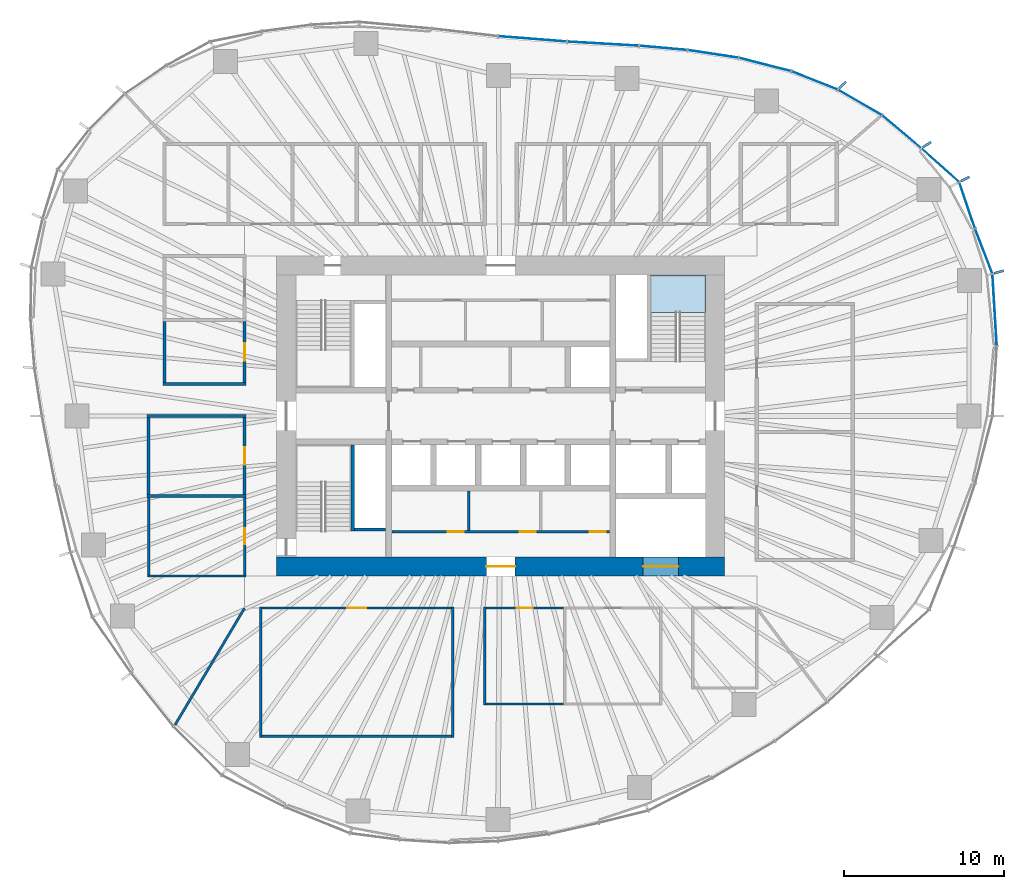
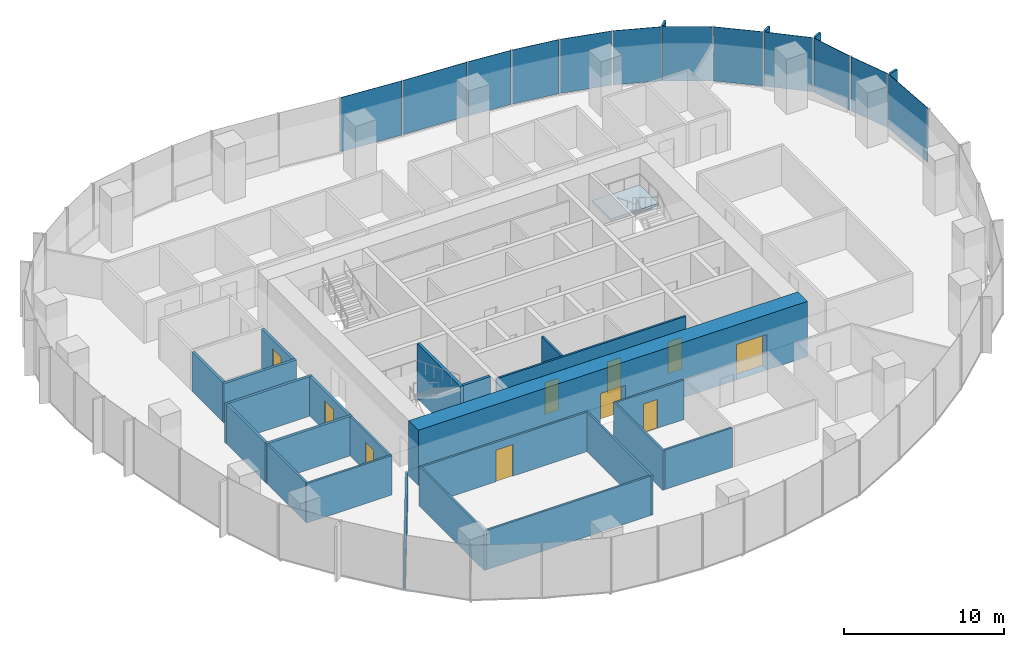
# One storey, part 8 of 18: 23 walls, 16 plates, 10 doors, 1 slab, 10 openings, 6 elements without a shape of their own.
"""IFC4 building model written with IfcOpenShell, lengths in metres."""

from ifc_helpers import new_model, si_unit, direction, frame, frame_2d, origin, origin_2d, place, context, subcontext, project, spatial, polyline, rectangle, outline, extrude, material, layer, layer_set, type_object, element, fill, aggregate, save


model = new_model("IFC4")

# Units and contexts
model_context = context("Model", 3, precision=1e-05, world=origin(), true_north=direction((0.0, 1.0)))
body_context = subcontext(model_context, "Body", "Model", "MODEL_VIEW")
ifc_project = project(units=[si_unit("LENGTHUNIT", "METRE"), si_unit("AREAUNIT", "SQUARE_METRE"), si_unit("VOLUMEUNIT", "CUBIC_METRE"), si_unit("PLANEANGLEUNIT", "RADIAN"), si_unit("MASSUNIT", "GRAM", prefix="KILO")], contexts=[model_context])

# Site, building, storey
site_placement = place(None, origin())
site = spatial("IfcSite", under=ifc_project, at=site_placement, CompositionType="ELEMENT")
building_placement = place(site_placement, origin())
building = spatial("IfcBuilding", under=site, at=building_placement, Name="Ghaith Harvest Tower", CompositionType="ELEMENT")
storey_placement = place(building_placement, frame((0.0, 0.0, 134.39990234375)))
storey = spatial("IfcBuildingStorey", under=building, at=storey_placement, Name="L28", CompositionType="ELEMENT", Elevation=134.39990234375)

# Curtain wall, plate
ifc_material_1 = material(Name="Black anodised aluminium and fritted glass", Category="aluminium")
curtain_wall_type = type_object("IfcCurtainWallType", Name="CW-L CURTAIN WALL", PredefinedType="NOTDEFINED", material=ifc_material_1)
curtain_wall_1_placement = place(storey_placement, origin())
curtain_wall_1 = element("IfcCurtainWall", 1, at=curtain_wall_1_placement, inside=storey, type_object=curtain_wall_type, Name="Curtain wall CW-L bay 01 L28", PredefinedType="NOTDEFINED")
ifc_material_2 = material(Name="Glass, dark solar-control fritted double glazed unit", Category="glass")
ifc_layer_1 = layer(ifc_material_2, 0.031982421875)
ifc_layer_set_1 = layer_set([ifc_layer_1], Name="CW-L VISION PANEL")
plate_type_1 = type_object("IfcPlateType", Name="CW-L VISION PANEL", PredefinedType="CURTAIN_PANEL", material=ifc_layer_set_1)
plate_1_placement = place(storey_placement, frame((30.863037109375, 6.63525390625, 0.080078125), z_axis=(0.0, 0.0, 1.0), x_axis=(-0.060320650032, 0.998179051663, 0.0)))
plate_1 = element("IfcPlate", 2, at=plate_1_placement, type_object=plate_type_1, Name="CW-L glass unit 2 bay 01 L28", PredefinedType="CURTAIN_PANEL", context=body_context, shape_type="SweptSolid", body=[
    extrude(rectangle(XDim=4.419189453125, YDim=0.031982421875, at=origin_2d()), origin(), (0.0, 0.0, 1.0), 4.1201171875),
])
aggregate(curtain_wall_1, [plate_1])

# Curtain wall, plates
curtain_wall_2_placement = place(storey_placement, origin())
curtain_wall_2 = element("IfcCurtainWall", 3, at=curtain_wall_2_placement, inside=storey, type_object=curtain_wall_type, Name="Curtain wall CW-L bay 02 L28", PredefinedType="NOTDEFINED")
plate_2_placement = place(storey_placement, frame((30.180908203125, 10.29833984375, 0.080078125), z_axis=(0.0, 0.0, 1.0), x_axis=(-0.359676824997, 0.933076943001, 0.0)))
plate_2 = element("IfcPlate", 4, at=plate_2_placement, type_object=plate_type_1, Name="CW-L glass unit 1 bay 02 L28", PredefinedType="CURTAIN_PANEL", context=body_context, shape_type="SweptSolid", body=[
    extrude(rectangle(XDim=2.95849609375, YDim=0.031982421875, at=origin_2d()), origin(), (0.0, 0.0, 1.0), 4.1201171875),
])
plate_3_placement = place(storey_placement, frame((29.142333984375, 13.163818359375, 0.080078125), z_axis=(0.0, 0.0, 1.0), x_axis=(-0.321853304376, 0.946789549194, 0.0)))
plate_3 = element("IfcPlate", 5, at=plate_3_placement, type_object=plate_type_1, Name="CW-L glass unit 2 bay 02 L28", PredefinedType="CURTAIN_PANEL", context=body_context, shape_type="SweptSolid", body=[
    extrude(rectangle(XDim=2.978759765625, YDim=0.031982421875, at=origin_2d()), origin(), (0.0, 0.0, 1.0), 4.1201171875),
])
plate_4_placement = place(storey_placement, frame((27.46533203125, 15.668701171875, 0.080078125), z_axis=(0.0, 0.0, 1.0), x_axis=(-0.746250544556, 0.665665174656, 0.0)))
plate_4 = element("IfcPlate", 6, at=plate_4_placement, type_object=plate_type_1, Name="CW-L glass unit 3 bay 02 L28", PredefinedType="CURTAIN_PANEL", context=body_context, shape_type="SweptSolid", body=[
    extrude(rectangle(XDim=3.094970703125, YDim=0.031982421875, at=origin_2d()), origin(), (0.0, 0.0, 1.0), 4.1201171875),
])
aggregate(curtain_wall_2, [plate_2, plate_3, plate_4])

curtain_wall_3_placement = place(storey_placement, origin())
curtain_wall_3 = element("IfcCurtainWall", 7, at=curtain_wall_3_placement, inside=storey, type_object=curtain_wall_type, Name="Curtain wall CW-L bay 03 L28", PredefinedType="NOTDEFINED")
plate_5_placement = place(storey_placement, frame((25.05126953125, 17.7587890625, 0.080078125), z_axis=(0.0, 0.0, 1.0), x_axis=(-0.765473064857, 0.643467937801, 0.0)))
plate_5 = element("IfcPlate", 8, at=plate_5_placement, type_object=plate_type_1, Name="CW-L glass unit 1 bay 03 L28", PredefinedType="CURTAIN_PANEL", context=body_context, shape_type="SweptSolid", body=[
    extrude(rectangle(XDim=3.13232421875, YDim=0.031982421875, at=origin_2d()), origin(), (0.0, 0.0, 1.0), 4.1201171875),
])
plate_6_placement = place(storey_placement, frame((22.444091796875, 19.590576171875, 0.080078125), z_axis=(0.0, 0.0, 1.0), x_axis=(-0.865232087993, 0.501371552751, 0.0)))
plate_6 = element("IfcPlate", 9, at=plate_6_placement, type_object=plate_type_1, Name="CW-L glass unit 2 bay 03 L28", PredefinedType="CURTAIN_PANEL", context=body_context, shape_type="SweptSolid", body=[
    extrude(rectangle(XDim=3.10498046875, YDim=0.031982421875, at=origin_2d()), origin(), (0.0, 0.0, 1.0), 4.1201171875),
])
plate_7_placement = place(storey_placement, frame((19.6142578125, 20.963623046875, 0.080078125), z_axis=(0.0, 0.0, 1.0), x_axis=(-0.929876534019, 0.367871759558, 0.0)))
plate_7 = element("IfcPlate", 10, at=plate_7_placement, type_object=plate_type_1, Name="CW-L glass unit 3 bay 03 L28", PredefinedType="CURTAIN_PANEL", context=body_context, shape_type="SweptSolid", body=[
    extrude(rectangle(XDim=3.042724609375, YDim=0.031982421875, at=origin_2d()), origin(), (0.0, 0.0, 1.0), 4.1201171875),
])
aggregate(curtain_wall_3, [plate_5, plate_6, plate_7])

curtain_wall_4_placement = place(storey_placement, origin())
curtain_wall_4 = element("IfcCurtainWall", 11, at=curtain_wall_4_placement, inside=storey, type_object=curtain_wall_type, Name="Curtain wall CW-L bay 04 L28", PredefinedType="NOTDEFINED")
plate_8_placement = place(storey_placement, frame((16.513427734375, 21.958740234375, 0.080078125), z_axis=(0.0, 0.0, 1.0), x_axis=(-0.96893110987, 0.247330758955, 0.0)))
plate_8 = element("IfcPlate", 12, at=plate_8_placement, type_object=plate_type_1, Name="CW-L glass unit 1 bay 04 L28", PredefinedType="CURTAIN_PANEL", context=body_context, shape_type="SweptSolid", body=[
    extrude(rectangle(XDim=3.3232421875, YDim=0.031982421875, at=origin_2d()), origin(), (0.0, 0.0, 1.0), 4.1201171875),
])
plate_9_placement = place(storey_placement, frame((13.2685546875, 22.621826171875, 0.080078125), z_axis=(0.0, 0.0, 1.0), x_axis=(-0.988678736369, 0.150047846542, 0.0)))
plate_9 = element("IfcPlate", 13, at=plate_9_placement, type_object=plate_type_1, Name="CW-L glass unit 2 bay 04 L28", PredefinedType="CURTAIN_PANEL", context=body_context, shape_type="SweptSolid", body=[
    extrude(rectangle(XDim=3.14892578125, YDim=0.031982421875, at=origin_2d()), origin(), (0.0, 0.0, 1.0), 4.1201171875),
])
plate_10_placement = place(storey_placement, frame((10.15966796875, 22.9970703125, 0.080078125), z_axis=(0.0, 0.0, 1.0), x_axis=(-0.996166190972, 0.087480969151, 0.0)))
plate_10 = element("IfcPlate", 14, at=plate_10_placement, type_object=plate_type_1, Name="CW-L glass unit 3 bay 04 L28", PredefinedType="CURTAIN_PANEL", context=body_context, shape_type="SweptSolid", body=[
    extrude(rectangle(XDim=2.957275390625, YDim=0.031982421875, at=origin_2d()), origin(), (0.0, 0.0, 1.0), 4.1201171875),
])
aggregate(curtain_wall_4, [plate_8, plate_9, plate_10])

curtain_wall_5_placement = place(storey_placement, origin())
curtain_wall_5 = element("IfcCurtainWall", 15, at=curtain_wall_5_placement, inside=storey, type_object=curtain_wall_type, Name="Curtain wall CW-L bay 05 L28", PredefinedType="NOTDEFINED")
plate_11_placement = place(storey_placement, frame((6.396728515625, 23.260498046875, 0.080078125), z_axis=(0.0, 0.0, 1.0), x_axis=(-0.998320798751, 0.05792739233, 0.0)))
plate_11 = element("IfcPlate", 16, at=plate_11_placement, type_object=plate_type_1, Name="CW-L glass unit 1 bay 05 L28", PredefinedType="CURTAIN_PANEL", context=body_context, shape_type="SweptSolid", body=[
    extrude(rectangle(XDim=4.427734375, YDim=0.031982421875, at=origin_2d()), origin(), (0.0, 0.0, 1.0), 4.1201171875),
])
plate_12_placement = place(storey_placement, frame((1.9921875, 23.560302734375, 0.080078125), z_axis=(0.0, 0.0, 1.0), x_axis=(-0.996925121312, 0.078360082291, 0.0)))
plate_12 = element("IfcPlate", 17, at=plate_12_placement, type_object=plate_type_1, Name="CW-L glass unit 2 bay 05 L28", PredefinedType="CURTAIN_PANEL", context=body_context, shape_type="SweptSolid", body=[
    extrude(rectangle(XDim=4.242431640625, YDim=0.031982421875, at=origin_2d()), origin(), (0.0, 0.0, 1.0), 4.1201171875),
])
aggregate(curtain_wall_5, [plate_11, plate_12])

# Stair, slab
ifc_material_3 = material(Name="Concrete C40/50, precast", Category="concrete")
stair_type = type_object("IfcStairType", Name="CORE STAIR 24R", PredefinedType="HALF_TURN_STAIR", material=ifc_material_3)
stair_placement = place(storey_placement, origin())
stair = element("IfcStair", 18, at=stair_placement, inside=storey, type_object=stair_type, Name="Stair ST2 L28", PredefinedType="HALF_TURN_STAIR")
ifc_material_4 = material(Name="Concrete C40/50, precast", Category="concrete")
ifc_layer_2 = layer(ifc_material_4, 0.179931640625)
ifc_layer_set_2 = layer_set([ifc_layer_2], Name="STAIR LANDING 180")
slab_type = type_object("IfcSlabType", Name="STAIR LANDING 180", PredefinedType="LANDING", material=ifc_layer_set_2)
slab_placement = place(storey_placement, frame((0.0, 0.0, 1.920166015625)))
slab = element("IfcSlab", 19, at=slab_placement, type_object=slab_type, Name="ST2 landing 1", PredefinedType="LANDING", context=body_context, shape_type="SweptSolid", body=[
    extrude(outline(polyline([(12.800048828125, 6.4599609375), (12.800048828125, 8.800048828125), (9.35009765625, 8.800048828125), (9.35009765625, 6.4599609375), (12.800048828125, 6.4599609375)])), origin(), (0.0, 0.0, 1.0), 0.179931640625),
])
aggregate(stair, [slab])

# Plates
ifc_material_5 = material(Name="Glassfibre-reinforced concrete", Category="concrete")
ifc_layer_3 = layer(ifc_material_5, 0.14990234375)
ifc_layer_set_3 = layer_set([ifc_layer_3], Name="SUN-BREAKER FIN 600x150")
plate_type_2 = type_object("IfcPlateType", Name="SUN-BREAKER FIN 600x150", PredefinedType="USERDEFINED", material=ifc_layer_set_3)
for number, where, z_axis, x_axis, name in (
    (20, (31.130859375, 8.99755859375, 0.0), (0.0, 0.0, 1.0), (0.960680349985, 0.277656739792, 0.0), "Sun-breaker fin CW-L 1 bay 02 L28"),
    (21, (29.024169921875, 14.802734375, 0.0), (0.0, 0.0, 1.0), (0.890830752257, 0.454335306611, 0.0), "Sun-breaker fin CW-L 3 bay 02 L28"),
    (22, (26.635009765625, 16.95068359375, 0.0), (0.0, 0.0, 1.0), (0.843643971464, 0.536903016766, 0.0), "Sun-breaker fin CW-L 1 bay 03 L28"),
    (23, (21.367919921875, 20.68115234375, 0.0), (0.0, 0.0, 1.0), (0.7185589652, 0.69546604053, 0.0), "Sun-breaker fin CW-L 3 bay 03 L28"),
):
    element("IfcPlate", number, at=place(storey_placement, frame(where, z_axis=z_axis, x_axis=x_axis)), inside=storey, type_object=plate_type_2, Name=name, ObjectType="SUN-BREAKER FIN", PredefinedType="USERDEFINED", context=body_context, shape_type="SweptSolid", body=[
        extrude(rectangle(XDim=0.60009765625, YDim=0.14990234375, at=origin_2d()), origin(), (0.0, 0.0, 1.0), 4.199951171875),
    ])

# Walls
ifc_material_6 = material(Name="Twin-stud gypsum board, acoustic", Category="gypsum")
ifc_layer_4 = layer(ifc_material_6, 0.199951171875)
ifc_layer_set_4 = layer_set([ifc_layer_4], Name="ACOUSTIC PARTITION 200")
wall_type_1 = type_object("IfcWallType", Name="ACOUSTIC PARTITION 200", PredefinedType="PARTITIONING", material=ifc_layer_set_4)
for number, where, z_axis, x_axis, name in (
    (24, (-15.89990234375, -5.0, 0.0), (0.0, 0.0, 1.0), (-1.0, 0.0, 0.0), "Partition L28 row W6 cross wall 2"),
    (25, (-15.89990234375, 0.0, 0.0), (0.0, 0.0, 1.0), (-1.0, 0.0, 0.0), "Partition L28 row W6 cross wall 3"),
):
    element("IfcWall", number, at=place(storey_placement, frame(where, z_axis=z_axis, x_axis=x_axis)), inside=storey, type_object=wall_type_1, Name=name, PredefinedType="PARTITIONING", context=body_context, shape_type="SweptSolid", body=[
        extrude(rectangle(XDim=6.2001953125, YDim=0.199951171875, at=frame_2d((3.10009765625, 0.0))), origin(), (0.0, 0.0, 1.0), 3.0),
    ])

# Wall, opening, door
wall_1_placement = place(storey_placement, frame((-16.0, -4.89990234375, 0.0), z_axis=(0.0, 0.0, 1.0), x_axis=(0.0, 1.0, 0.0)))
wall_1 = element("IfcWall", 26, at=wall_1_placement, inside=storey, type_object=wall_type_1, Name="Partition L28-16", PredefinedType="PARTITIONING", context=body_context, shape_type="SweptSolid", body=[
    extrude(rectangle(XDim=4.7998046875, YDim=0.199951171875, at=frame_2d((2.39990234375, 0.0))), origin(), (0.0, 0.0, 1.0), 3.0),
])
opening_1_placement = place(wall_1_placement, frame((1.85009765625, 0.0, 0.0)))
opening_1 = element("IfcOpeningElement", 27, at=opening_1_placement, cuts=wall_1, Name="Opening 28-041", PredefinedType="OPENING", context=body_context, shape_type="SweptSolid", body=[
    extrude(rectangle(XDim=1.10009765625, YDim=2.300048828125, at=frame_2d((0.550048828125, 1.14990234375))), frame((0.0, 0.10986328125, 0.0), z_axis=(0.0, -1.0, 0.0), x_axis=(1.0, 0.0, 0.0)), (0.0, 0.0, 1.0), 0.219970703125),
])
ifc_material_7 = material(Name="Timber-framed glazed door", Category="wood")
door_type_1 = type_object("IfcDoorType", Name="D12 GLAZED OFFICE 1100x2300", OperationType="SINGLE_SWING_LEFT", PredefinedType="DOOR", material=ifc_material_7)
door_1_placement = place(opening_1_placement, origin())
door_1 = element("IfcDoor", 28, at=door_1_placement, inside=storey, type_object=door_type_1, Name="Quiet room door", OperationType="SINGLE_SWING_LEFT", OverallHeight=2.300048828125, OverallWidth=1.10009765625, PredefinedType="DOOR", context=body_context, shape_type="SweptSolid", body=[
    extrude(rectangle(XDim=1.10009765625, YDim=2.300048828125, at=frame_2d((0.550048828125, 1.14990234375))), frame((0.0, 0.02490234375, 0.0), z_axis=(0.0, -1.0, 0.0), x_axis=(1.0, 0.0, 0.0)), (0.0, 0.0, 1.0), 0.050048828125),
])
fill(opening_1, door_1)

# Walls
wall_2_placement = place(storey_placement, frame((-22.0, -4.89990234375, 0.0), z_axis=(0.0, 0.0, 1.0), x_axis=(0.0, 1.0, 0.0)))
element("IfcWall", 29, at=wall_2_placement, inside=storey, type_object=wall_type_1, Name="Partition L28-16", PredefinedType="PARTITIONING", context=body_context, shape_type="SweptSolid", body=[
    extrude(rectangle(XDim=4.7998046875, YDim=0.199951171875, at=frame_2d((2.39990234375, 0.0))), origin(), (0.0, 0.0, 1.0), 3.0),
])
wall_3_placement = place(storey_placement, frame((-15.89990234375, 2.0, 0.0), z_axis=(0.0, 0.0, 1.0), x_axis=(-1.0, 0.0, 0.0)))
element("IfcWall", 30, at=wall_3_placement, inside=storey, type_object=wall_type_1, Name="Partition L28 row W9 cross wall 1", PredefinedType="PARTITIONING", context=body_context, shape_type="SweptSolid", body=[
    extrude(rectangle(XDim=5.2001953125, YDim=0.199951171875, at=frame_2d((2.60009765625, 0.0))), origin(), (0.0, 0.0, 1.0), 3.0),
])

# Wall, opening, door
wall_4_placement = place(storey_placement, frame((-16.0, 2.10009765625, 0.0), z_axis=(0.0, 0.0, 1.0), x_axis=(0.0, 1.0, 0.0)))
wall_4 = element("IfcWall", 31, at=wall_4_placement, inside=storey, type_object=wall_type_1, Name="Partition L28-20", PredefinedType="PARTITIONING", context=body_context, shape_type="SweptSolid", body=[
    extrude(rectangle(XDim=3.7998046875, YDim=0.199951171875, at=frame_2d((1.89990234375, 0.0))), origin(), (0.0, 0.0, 1.0), 3.0),
])
opening_2_placement = place(wall_4_placement, frame((1.35009765625, 0.0, 0.0)))
opening_2 = element("IfcOpeningElement", 32, at=opening_2_placement, cuts=wall_4, Name="Opening 28-045", PredefinedType="OPENING", context=body_context, shape_type="SweptSolid", body=[
    extrude(rectangle(XDim=1.10009765625, YDim=2.300048828125, at=frame_2d((0.550048828125, 1.14990234375))), frame((0.0, 0.10986328125, 0.0), z_axis=(0.0, -1.0, 0.0), x_axis=(1.0, 0.0, 0.0)), (0.0, 0.0, 1.0), 0.219970703125),
])
door_2_placement = place(opening_2_placement, origin())
door_2 = element("IfcDoor", 33, at=door_2_placement, inside=storey, type_object=door_type_1, Name="Focus room door", OperationType="SINGLE_SWING_LEFT", OverallHeight=2.300048828125, OverallWidth=1.10009765625, PredefinedType="DOOR", context=body_context, shape_type="SweptSolid", body=[
    extrude(rectangle(XDim=1.10009765625, YDim=2.300048828125, at=frame_2d((0.550048828125, 1.14990234375))), frame((0.0, 0.02490234375, 0.0), z_axis=(0.0, -1.0, 0.0), x_axis=(1.0, 0.0, 0.0)), (0.0, 0.0, 1.0), 0.050048828125),
])
fill(opening_2, door_2)

# Wall
wall_5_placement = place(storey_placement, frame((-21.0, 2.10009765625, 0.0), z_axis=(0.0, 0.0, 1.0), x_axis=(0.0, 1.0, 0.0)))
element("IfcWall", 34, at=wall_5_placement, inside=storey, type_object=wall_type_1, Name="Partition L28-20", PredefinedType="PARTITIONING", context=body_context, shape_type="SweptSolid", body=[
    extrude(rectangle(XDim=3.7998046875, YDim=0.199951171875, at=frame_2d((1.89990234375, 0.0))), origin(), (0.0, 0.0, 1.0), 3.0),
])

# Wall, openings, doors
ifc_material_8 = material(Name="Concrete blockwork, fair-faced", Category="masonry")
ifc_layer_5 = layer(ifc_material_8, 0.139892578125)
ifc_layer_set_5 = layer_set([ifc_layer_5], Name="CORE PARTITION 140")
wall_type_2 = type_object("IfcWallType", Name="CORE PARTITION 140", PredefinedType="PARTITIONING", material=ifc_layer_set_5)
wall_6_placement = place(storey_placement, frame((-6.800048828125, -7.22998046875, 0.0), z_axis=(0.0, 0.0, 1.0), x_axis=(1.0, 0.0, 0.0)))
wall_6 = element("IfcWall", 35, at=wall_6_placement, inside=storey, type_object=wall_type_2, Name="Core partition L28", PredefinedType="PARTITIONING", context=body_context, shape_type="SweptSolid", body=[
    extrude(rectangle(XDim=13.60009765625, YDim=0.139892578125, at=frame_2d((6.800048828125, 0.0))), origin(), (0.0, 0.0, 1.0), 3.9501953125),
])
opening_3_placement = place(wall_6_placement, frame((3.47998046875, 0.0, 0.0)))
opening_3 = element("IfcOpeningElement", 36, at=opening_3_placement, cuts=wall_6, Name="Opening 28-011", PredefinedType="OPENING", context=body_context, shape_type="SweptSolid", body=[
    extrude(rectangle(XDim=1.0, YDim=2.39990234375, at=frame_2d((0.5, 1.199951171875))), frame((0.0, 0.080078125, 0.0), z_axis=(0.0, -1.0, 0.0), x_axis=(1.0, 0.0, 0.0)), (0.0, 0.0, 1.0), 0.159912109375),
])
opening_4_placement = place(wall_6_placement, frame((7.97998046875, 0.0, 0.0)))
opening_4 = element("IfcOpeningElement", 37, at=opening_4_placement, cuts=wall_6, Name="Opening 28-012", PredefinedType="OPENING", context=body_context, shape_type="SweptSolid", body=[
    extrude(rectangle(XDim=1.0, YDim=2.39990234375, at=frame_2d((0.5, 1.199951171875))), frame((0.0, 0.080078125, 0.0), z_axis=(0.0, -1.0, 0.0), x_axis=(1.0, 0.0, 0.0)), (0.0, 0.0, 1.0), 0.159912109375),
])
opening_5_placement = place(wall_6_placement, frame((12.35009765625, 0.0, 0.0)))
opening_5 = element("IfcOpeningElement", 38, at=opening_5_placement, cuts=wall_6, Name="Opening 28-013", PredefinedType="OPENING", context=body_context, shape_type="SweptSolid", body=[
    extrude(rectangle(XDim=1.0, YDim=2.39990234375, at=frame_2d((0.5, 1.199951171875))), frame((0.0, 0.080078125, 0.0), z_axis=(0.0, -1.0, 0.0), x_axis=(1.0, 0.0, 0.0)), (0.0, 0.0, 1.0), 0.159912109375),
])
ifc_material_9 = material(Name="Steel fire door", Category="steel")
door_type_2 = type_object("IfcDoorType", Name="D3 FD90 1000x2400", OperationType="SINGLE_SWING_LEFT", PredefinedType="DOOR", material=ifc_material_9)
door_3_placement = place(opening_3_placement, origin())
door_3 = element("IfcDoor", 39, at=door_3_placement, inside=storey, type_object=door_type_2, Name="Electrical room door", OperationType="SINGLE_SWING_LEFT", OverallHeight=2.39990234375, OverallWidth=1.0, PredefinedType="DOOR", context=body_context, shape_type="SweptSolid", body=[
    extrude(rectangle(XDim=1.0, YDim=2.39990234375, at=frame_2d((0.5, 1.199951171875))), frame((0.0, 0.02490234375, 0.0), z_axis=(0.0, -1.0, 0.0), x_axis=(1.0, 0.0, 0.0)), (0.0, 0.0, 1.0), 0.050048828125),
])
fill(opening_3, door_3)
door_4_placement = place(opening_4_placement, origin())
door_4 = element("IfcDoor", 40, at=door_4_placement, inside=storey, type_object=door_type_2, Name="Communications equipment room door", OperationType="SINGLE_SWING_RIGHT", OverallHeight=2.39990234375, OverallWidth=1.0, PredefinedType="DOOR", context=body_context, shape_type="SweptSolid", body=[
    extrude(rectangle(XDim=1.0, YDim=2.39990234375, at=frame_2d((0.5, 1.199951171875))), frame((0.0, 0.02490234375, 0.0), z_axis=(0.0, -1.0, 0.0), x_axis=(1.0, 0.0, 0.0)), (0.0, 0.0, 1.0), 0.050048828125),
])
fill(opening_4, door_4)
door_5_placement = place(opening_5_placement, origin())
door_5 = element("IfcDoor", 41, at=door_5_placement, inside=storey, type_object=door_type_2, Name="Riser room door", OperationType="SINGLE_SWING_RIGHT", OverallHeight=2.39990234375, OverallWidth=1.0, PredefinedType="DOOR", context=body_context, shape_type="SweptSolid", body=[
    extrude(rectangle(XDim=1.0, YDim=2.39990234375, at=frame_2d((0.5, 1.199951171875))), frame((0.0, 0.02490234375, 0.0), z_axis=(0.0, -1.0, 0.0), x_axis=(1.0, 0.0, 0.0)), (0.0, 0.0, 1.0), 0.050048828125),
])
fill(opening_5, door_5)

# Wall
wall_7_placement = place(storey_placement, frame((-2.0, -4.699951171875, 0.0), z_axis=(0.0, 0.0, 1.0), x_axis=(0.0, -1.0, 0.0)))
element("IfcWall", 42, at=wall_7_placement, inside=storey, type_object=wall_type_2, Name="Core partition L28", PredefinedType="PARTITIONING", context=body_context, shape_type="SweptSolid", body=[
    extrude(rectangle(XDim=2.4599609375, YDim=0.139892578125, at=frame_2d((1.22998046875, 0.0))), origin(), (0.0, 0.0, 1.0), 3.9501953125),
])

# Wall, openings, doors
ifc_material_10 = material(Name="Concrete C60/75", Category="concrete")
ifc_layer_6 = layer(ifc_material_10, 1.199951171875)
ifc_layer_set_6 = layer_set([ifc_layer_6], Name="CORE WALL CW1200 C60")
wall_type_3 = type_object("IfcWallType", Name="CORE WALL CW1200 C60", PredefinedType="SHEAR", material=ifc_layer_set_6)
wall_8_placement = place(storey_placement, frame((-14.0, -9.39990234375, 0.0), z_axis=(0.0, 0.0, 1.0), x_axis=(1.0, 0.0, 0.0)))
wall_8 = element("IfcWall", 43, at=wall_8_placement, inside=storey, type_object=wall_type_3, Name="Core wall S L28", PredefinedType="SHEAR", context=body_context, shape_type="SweptSolid", body=[
    extrude(rectangle(XDim=28.0, YDim=1.199951171875, at=frame_2d((14.0, 0.0))), origin(), (0.0, 0.0, 1.0), 4.2001953125),
])
opening_6_placement = place(wall_8_placement, frame((13.10009765625, 0.0, 0.0)))
opening_6 = element("IfcOpeningElement", 44, at=opening_6_placement, cuts=wall_8, Name="Opening 28-018", PredefinedType="OPENING", context=body_context, shape_type="SweptSolid", body=[
    extrude(rectangle(XDim=1.800048828125, YDim=2.39990234375, at=frame_2d((0.89990234375, 1.199951171875))), frame((0.0, 0.60986328125, 0.0), z_axis=(0.0, -1.0, 0.0), x_axis=(1.0, 0.0, 0.0)), (0.0, 0.0, 1.0), 1.219970703125),
])
opening_7_placement = place(wall_8_placement, frame((22.89990234375, 0.0, 0.0)))
opening_7 = element("IfcOpeningElement", 45, at=opening_7_placement, cuts=wall_8, Name="Opening 28-025", PredefinedType="OPENING", context=body_context, shape_type="SweptSolid", body=[
    extrude(rectangle(XDim=2.199951171875, YDim=2.699951171875, at=frame_2d((1.10009765625, 1.35009765625))), frame((0.0, 0.60986328125, 0.0), z_axis=(0.0, -1.0, 0.0), x_axis=(1.0, 0.0, 0.0)), (0.0, 0.0, 1.0), 1.219970703125),
])
ifc_material_11 = material(Name="Steel fire door", Category="steel")
door_type_3 = type_object("IfcDoorType", Name="D4 FD90 PAIR 1800x2400", OperationType="DOUBLE_DOOR_SINGLE_SWING", PredefinedType="DOOR", material=ifc_material_11)
door_6_placement = place(opening_6_placement, origin())
door_6 = element("IfcDoor", 46, at=door_6_placement, inside=storey, type_object=door_type_3, Name="Core service corridor doors", OperationType="DOUBLE_DOOR_SINGLE_SWING", OverallHeight=2.39990234375, OverallWidth=1.800048828125, PredefinedType="DOOR", context=body_context, shape_type="SweptSolid", body=[
    extrude(rectangle(XDim=1.800048828125, YDim=2.39990234375, at=frame_2d((0.89990234375, 1.199951171875))), frame((0.0, 0.02490234375, 0.0), z_axis=(0.0, -1.0, 0.0), x_axis=(1.0, 0.0, 0.0)), (0.0, 0.0, 1.0), 0.050048828125),
])
fill(opening_6, door_6)
ifc_material_12 = material(Name="Steel fire door", Category="steel")
door_type_4 = type_object("IfcDoorType", Name="LD3 LANDING 2200x2700", OperationType="DOUBLE_DOOR_SLIDING", PredefinedType="DOOR", material=ifc_material_12)
door_7_placement = place(opening_7_placement, origin())
door_7 = element("IfcDoor", 47, at=door_7_placement, inside=storey, type_object=door_type_4, Name="Landing door, goods lift GL1", OperationType="DOUBLE_DOOR_SLIDING", OverallHeight=2.699951171875, OverallWidth=2.199951171875, PredefinedType="DOOR", context=body_context, shape_type="SweptSolid", body=[
    extrude(rectangle(XDim=2.199951171875, YDim=2.699951171875, at=frame_2d((1.10009765625, 1.35009765625))), frame((0.0, 0.02490234375, 0.0), z_axis=(0.0, -1.0, 0.0), x_axis=(1.0, 0.0, 0.0)), (0.0, 0.0, 1.0), 0.050048828125),
])
fill(opening_7, door_7)

# Walls
ifc_material_13 = material(Name="Gypsum board on steel studs", Category="steel")
ifc_layer_7 = layer(ifc_material_13, 0.14990234375)
ifc_layer_set_7 = layer_set([ifc_layer_7], Name="PARTITION 150")
wall_type_4 = type_object("IfcWallType", Name="PARTITION 150", PredefinedType="PARTITIONING", material=ifc_layer_set_7)
for number, where, z_axis, x_axis, name in (
    (48, (-15.0, -11.925048828125, 0.0), (0.0, 0.0, 1.0), (0.0, -1.0, 0.0), "Partition L28 row S1 cross wall 1"),
    (49, (-3.0, -11.925048828125, 0.0), (0.0, 0.0, 1.0), (0.0, -1.0, 0.0), "Partition L28 row S1 cross wall 2"),
):
    element("IfcWall", number, at=place(storey_placement, frame(where, z_axis=z_axis, x_axis=x_axis)), inside=storey, type_object=wall_type_4, Name=name, PredefinedType="PARTITIONING", context=body_context, shape_type="SweptSolid", body=[
        extrude(rectangle(XDim=8.14990234375, YDim=0.14990234375, at=frame_2d((4.074951171875, 0.0))), origin(), (0.0, 0.0, 1.0), 3.0),
    ])

# Wall, opening, door
wall_9_placement = place(storey_placement, frame((-14.925048828125, -12.0, 0.0), z_axis=(0.0, 0.0, 1.0), x_axis=(1.0, 0.0, 0.0)))
wall_9 = element("IfcWall", 50, at=wall_9_placement, inside=storey, type_object=wall_type_4, Name="Partition L28-01", PredefinedType="PARTITIONING", context=body_context, shape_type="SweptSolid", body=[
    extrude(rectangle(XDim=11.85009765625, YDim=0.14990234375, at=frame_2d((5.925048828125, 0.0))), origin(), (0.0, 0.0, 1.0), 3.0),
])
opening_8_placement = place(wall_9_placement, frame((5.324951171875, 0.0, 0.0)))
opening_8 = element("IfcOpeningElement", 51, at=opening_8_placement, cuts=wall_9, Name="Opening 28-026", PredefinedType="OPENING", context=body_context, shape_type="SweptSolid", body=[
    extrude(rectangle(XDim=1.199951171875, YDim=2.39990234375, at=frame_2d((0.60009765625, 1.199951171875))), frame((0.0, 0.0849609375, 0.0), z_axis=(0.0, -1.0, 0.0), x_axis=(1.0, 0.0, 0.0)), (0.0, 0.0, 1.0), 0.169921875),
])
ifc_material_14 = material(Name="Timber door", Category="wood")
door_type_5 = type_object("IfcDoorType", Name="D11 GLAZED 1200x2400", OperationType="SINGLE_SWING_LEFT", PredefinedType="DOOR", material=ifc_material_14)
door_8_placement = place(opening_8_placement, origin())
door_8 = element("IfcDoor", 52, at=door_8_placement, inside=storey, type_object=door_type_5, Name="Prototyping studio door", OperationType="SINGLE_SWING_LEFT", OverallHeight=2.39990234375, OverallWidth=1.199951171875, PredefinedType="DOOR", context=body_context, shape_type="SweptSolid", body=[
    extrude(rectangle(XDim=1.199951171875, YDim=2.39990234375, at=frame_2d((0.60009765625, 1.199951171875))), frame((0.0, 0.02490234375, 0.0), z_axis=(0.0, -1.0, 0.0), x_axis=(1.0, 0.0, 0.0)), (0.0, 0.0, 1.0), 0.050048828125),
])
fill(opening_8, door_8)

# Walls
wall_10_placement = place(storey_placement, frame((-14.925048828125, -20.0, 0.0), z_axis=(0.0, 0.0, 1.0), x_axis=(1.0, 0.0, 0.0)))
element("IfcWall", 53, at=wall_10_placement, inside=storey, type_object=wall_type_4, Name="Partition L28-01", PredefinedType="PARTITIONING", context=body_context, shape_type="SweptSolid", body=[
    extrude(rectangle(XDim=11.85009765625, YDim=0.14990234375, at=frame_2d((5.925048828125, 0.0))), origin(), (0.0, 0.0, 1.0), 3.0),
])
wall_11_placement = place(storey_placement, frame((-1.0, -11.925048828125, 0.0), z_axis=(0.0, 0.0, 1.0), x_axis=(0.0, -1.0, 0.0)))
element("IfcWall", 54, at=wall_11_placement, inside=storey, type_object=wall_type_4, Name="Partition L28 row S2 cross wall 1", PredefinedType="PARTITIONING", context=body_context, shape_type="SweptSolid", body=[
    extrude(rectangle(XDim=6.14990234375, YDim=0.14990234375, at=frame_2d((3.074951171875, 0.0))), origin(), (0.0, 0.0, 1.0), 3.0),
])

# Wall, opening, door
wall_12_placement = place(storey_placement, frame((-0.925048828125, -12.0, 0.0), z_axis=(0.0, 0.0, 1.0), x_axis=(1.0, 0.0, 0.0)))
wall_12 = element("IfcWall", 55, at=wall_12_placement, inside=storey, type_object=wall_type_4, Name="Partition L28-02", PredefinedType="PARTITIONING", context=body_context, shape_type="SweptSolid", body=[
    extrude(rectangle(XDim=4.85009765625, YDim=0.14990234375, at=frame_2d((2.425048828125, 0.0))), origin(), (0.0, 0.0, 1.0), 3.0),
])
opening_9_placement = place(wall_12_placement, frame((1.925048828125, 0.0, 0.0)))
opening_9 = element("IfcOpeningElement", 56, at=opening_9_placement, cuts=wall_12, Name="Opening 28-027", PredefinedType="OPENING", context=body_context, shape_type="SweptSolid", body=[
    extrude(rectangle(XDim=1.0, YDim=2.199951171875, at=frame_2d((0.5, 1.10009765625))), frame((0.0, 0.0849609375, 0.0), z_axis=(0.0, -1.0, 0.0), x_axis=(1.0, 0.0, 0.0)), (0.0, 0.0, 1.0), 0.169921875),
])
ifc_material_15 = material(Name="Timber door", Category="wood")
door_type_6 = type_object("IfcDoorType", Name="D1 SINGLE 1000x2200", OperationType="SINGLE_SWING_LEFT", PredefinedType="DOOR", material=ifc_material_15)
door_9_placement = place(opening_9_placement, origin())
door_9 = element("IfcDoor", 57, at=door_9_placement, inside=storey, type_object=door_type_6, Name="Store door", OperationType="SINGLE_SWING_LEFT", OverallHeight=2.199951171875, OverallWidth=1.0, PredefinedType="DOOR", context=body_context, shape_type="SweptSolid", body=[
    extrude(rectangle(XDim=1.0, YDim=2.199951171875, at=frame_2d((0.5, 1.10009765625))), frame((0.0, 0.02490234375, 0.0), z_axis=(0.0, -1.0, 0.0), x_axis=(1.0, 0.0, 0.0)), (0.0, 0.0, 1.0), 0.050048828125),
])
fill(opening_9, door_9)

# Walls
wall_13_placement = place(storey_placement, frame((-0.925048828125, -18.0, 0.0), z_axis=(0.0, 0.0, 1.0), x_axis=(1.0, 0.0, 0.0)))
element("IfcWall", 58, at=wall_13_placement, inside=storey, type_object=wall_type_4, Name="Partition L28-02", PredefinedType="PARTITIONING", context=body_context, shape_type="SweptSolid", body=[
    extrude(rectangle(XDim=4.85009765625, YDim=0.14990234375, at=frame_2d((2.425048828125, 0.0))), origin(), (0.0, 0.0, 1.0), 3.0),
])
wall_14_placement = place(storey_placement, frame((-15.925048828125, -10.0, 0.0), z_axis=(0.0, 0.0, 1.0), x_axis=(-1.0, 0.0, 0.0)))
element("IfcWall", 59, at=wall_14_placement, inside=storey, type_object=wall_type_4, Name="Partition L28 row W6 cross wall 1", PredefinedType="PARTITIONING", context=body_context, shape_type="SweptSolid", body=[
    extrude(rectangle(XDim=6.14990234375, YDim=0.14990234375, at=frame_2d((3.074951171875, 0.0))), origin(), (0.0, 0.0, 1.0), 3.0),
])

# Wall, opening, door
wall_15_placement = place(storey_placement, frame((-16.0, -9.925048828125, 0.0), z_axis=(0.0, 0.0, 1.0), x_axis=(0.0, 1.0, 0.0)))
wall_15 = element("IfcWall", 60, at=wall_15_placement, inside=storey, type_object=wall_type_4, Name="Partition L28-15", PredefinedType="PARTITIONING", context=body_context, shape_type="SweptSolid", body=[
    extrude(rectangle(XDim=4.824951171875, YDim=0.14990234375, at=frame_2d((2.41259765625, 0.0))), origin(), (0.0, 0.0, 1.0), 3.0),
])
opening_10_placement = place(wall_15_placement, frame((1.91259765625, 0.0, 0.0)))
opening_10 = element("IfcOpeningElement", 61, at=opening_10_placement, cuts=wall_15, Name="Opening 28-040", PredefinedType="OPENING", context=body_context, shape_type="SweptSolid", body=[
    extrude(rectangle(XDim=1.0, YDim=2.199951171875, at=frame_2d((0.5, 1.10009765625))), frame((0.0, 0.0849609375, 0.0), z_axis=(0.0, -1.0, 0.0), x_axis=(1.0, 0.0, 0.0)), (0.0, 0.0, 1.0), 0.169921875),
])
door_10_placement = place(opening_10_placement, origin())
door_10 = element("IfcDoor", 62, at=door_10_placement, inside=storey, type_object=door_type_6, Name="Print room door", OperationType="SINGLE_SWING_LEFT", OverallHeight=2.199951171875, OverallWidth=1.0, PredefinedType="DOOR", context=body_context, shape_type="SweptSolid", body=[
    extrude(rectangle(XDim=1.0, YDim=2.199951171875, at=frame_2d((0.5, 1.10009765625))), frame((0.0, 0.02490234375, 0.0), z_axis=(0.0, -1.0, 0.0), x_axis=(1.0, 0.0, 0.0)), (0.0, 0.0, 1.0), 0.050048828125),
])
fill(opening_10, door_10)

# Walls
wall_16_placement = place(storey_placement, frame((-22.0, -9.925048828125, 0.0), z_axis=(0.0, 0.0, 1.0), x_axis=(0.0, 1.0, 0.0)))
element("IfcWall", 63, at=wall_16_placement, inside=storey, type_object=wall_type_4, Name="Partition L28-15", PredefinedType="PARTITIONING", context=body_context, shape_type="SweptSolid", body=[
    extrude(rectangle(XDim=4.824951171875, YDim=0.14990234375, at=frame_2d((2.41259765625, 0.0))), origin(), (0.0, 0.0, 1.0), 3.0),
])
wall_17_placement = place(storey_placement, frame((-16.01025390625, -12.01708984375, 0.0), z_axis=(0.0, 0.0, 1.0), x_axis=(-0.511508688443, -0.85927810495, 0.0)))
element("IfcWall", 64, at=wall_17_placement, inside=storey, type_object=wall_type_4, Name="Partition L28 zone division", PredefinedType="PARTITIONING", context=body_context, shape_type="SweptSolid", body=[
    extrude(rectangle(XDim=8.470458984375, YDim=0.14990234375, at=frame_2d((4.2353515625, 0.0))), origin(), (0.0, 0.0, 1.0), 3.0),
])
ifc_material_16 = material(Name="Concrete C40/50", Category="concrete")
ifc_layer_8 = layer(ifc_material_16, 0.199951171875)
ifc_layer_set_8 = layer_set([ifc_layer_8], Name="STAIR SPINE WALL RC200")
wall_type_5 = type_object("IfcWallType", Name="STAIR SPINE WALL RC200", PredefinedType="SOLIDWALL", material=ifc_layer_set_8)
wall_18_placement = place(storey_placement, frame((-9.25, -7.199951171875, 0.0), z_axis=(0.0, 0.0, 1.0), x_axis=(0.0, 1.0, 0.0)))
element("IfcWall", 65, at=wall_18_placement, inside=storey, type_object=wall_type_5, Name="Stair ST3 spine wall L28", PredefinedType="SOLIDWALL", context=body_context, shape_type="SweptSolid", body=[
    extrude(rectangle(XDim=5.39990234375, YDim=0.199951171875, at=frame_2d((2.699951171875, 0.0))), origin(), (0.0, 0.0, 1.0), 4.2001953125),
])
wall_19_placement = place(storey_placement, frame((-9.14990234375, -7.10009765625, 0.0), z_axis=(0.0, 0.0, 1.0), x_axis=(1.0, 0.0, 0.0)))
element("IfcWall", 66, at=wall_19_placement, inside=storey, type_object=wall_type_5, Name="Stair ST3 spine wall return L28", PredefinedType="SOLIDWALL", context=body_context, shape_type="SweptSolid", body=[
    extrude(rectangle(XDim=1.949951171875, YDim=0.199951171875, at=frame_2d((0.97509765625, 0.0))), origin(), (0.0, 0.0, 1.0), 4.2001953125),
])

save(model, "model.ifc")
